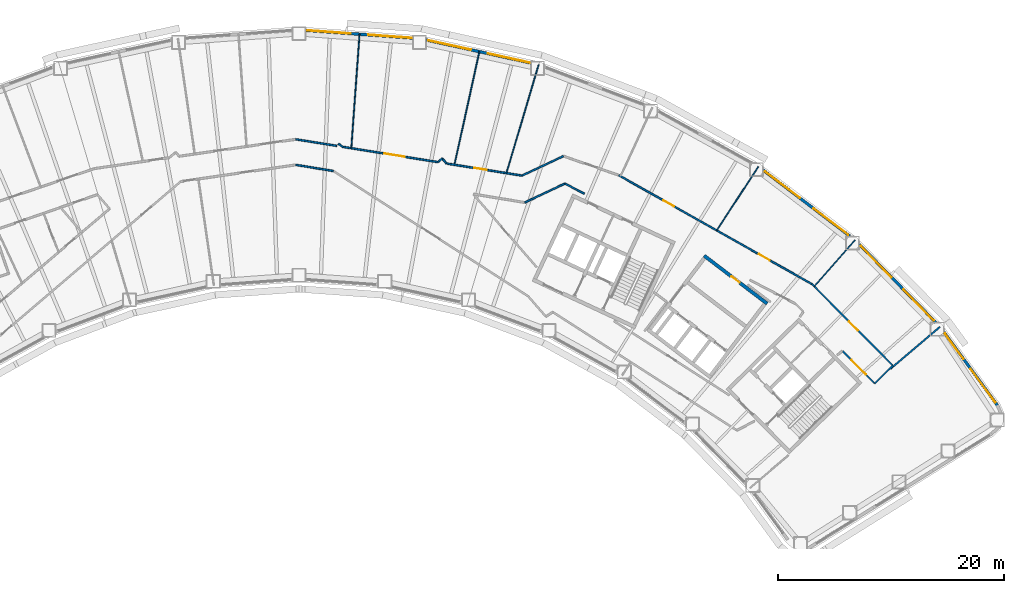
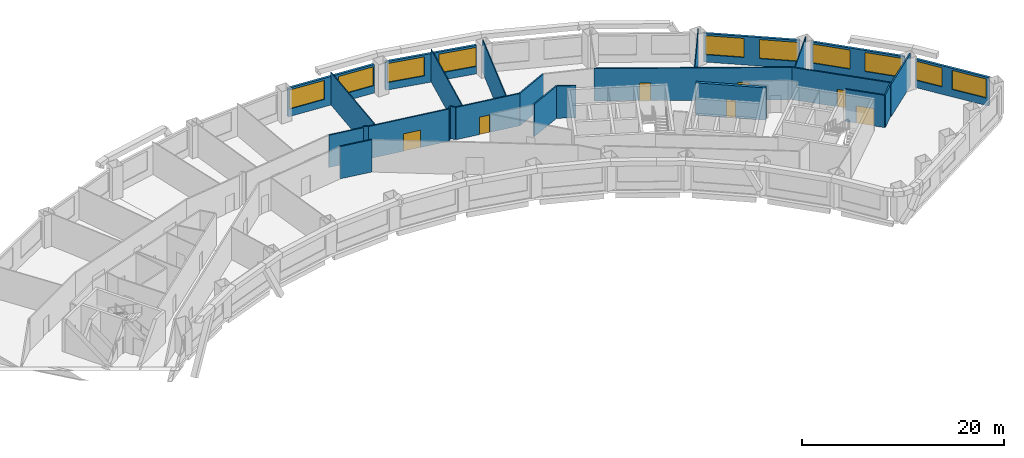
# One storey, part 8 of 15: 26 walls, 10 windows, 7 doors, 17 openings.
"""IFC4 building model written with IfcOpenShell, lengths in metres."""

import ifcopenshell
import ifcopenshell.guid

model = None  # the IFC model being written
_history = None  # IfcOwnerHistory: only IFC2X3 demands one
_inside = {}  # id of a spatial element -> (the spatial element, [elements in it])
_under = {}  # id of a project, library or spatial element -> (it, [spatial elements below it])
_declared = {}  # id of a project -> (the project, [libraries it declares])
_typed = {}  # id of a type object -> (the type object, [elements of that type])
_made_of = {}  # id of a material, layer set ... -> (it, [elements and type objects made of it])


def new_model(schema):
    """Start an empty IFC model of exactly this schema.

    Asked for "IFC4X3", IfcOpenShell would pick the latest addendum, in which some entities
    have other attributes; the version numbers below select the first issue.
    IFC2X3 requires an IfcOwnerHistory on every rooted entity: one is made here for all.
    """
    global model, _history
    if schema == "IFC4X3":
        model = ifcopenshell.file(schema_version=(4, 3, 0, 0))
    else:
        model = ifcopenshell.file(schema=schema)
    _inside.clear()
    _under.clear()
    _declared.clear()
    _typed.clear()
    _made_of.clear()
    _history = None
    if model.schema == "IFC2X3":
        org = make("IfcOrganization", Name="unknown")
        user = make(
            "IfcPersonAndOrganization",
            ThePerson=make("IfcPerson", FamilyName="unknown"),
            TheOrganization=org,
        )
        app = make(
            "IfcApplication",
            ApplicationDeveloper=org,
            Version="unknown",
            ApplicationFullName="unknown",
            ApplicationIdentifier="unknown",
        )
        _history = make(
            "IfcOwnerHistory",
            OwningUser=user,
            OwningApplication=app,
            ChangeAction="ADDED",
            CreationDate=0,
        )
    return model


def make(cls, **values):
    """One entity of the class cls with the attributes given. An attribute that is None is left unset."""
    return model.create_entity(
        cls, **{name: value for name, value in values.items() if value is not None}
    )


def rooted(cls, **values):
    """An entity with a GlobalId (a new one), such as an element, a storey or a relation."""
    return make(cls, GlobalId=ifcopenshell.guid.new(), OwnerHistory=_history, **values)


def si_unit(unit_type, name, prefix=None):
    """IfcSIUnit, for example si_unit("LENGTHUNIT", "METRE", prefix="MILLI")."""
    return make("IfcSIUnit", UnitType=unit_type, Prefix=prefix, Name=name)


def assignment(units):
    """IfcUnitAssignment: the units of a project."""
    return None if units is None else make("IfcUnitAssignment", Units=units)


def point(xyz):
    """IfcCartesianPoint."""
    return None if xyz is None else make("IfcCartesianPoint", Coordinates=xyz)


def direction(xyz):
    """IfcDirection."""
    return None if xyz is None else make("IfcDirection", DirectionRatios=xyz)


def frame(location, z_axis=None, x_axis=None):
    """IfcAxis2Placement3D, a coordinate frame: its origin and axes. An axis left out is left unset."""
    return make(
        "IfcAxis2Placement3D",
        Location=point(location),
        Axis=direction(z_axis),
        RefDirection=direction(x_axis),
    )


def frame_2d(location, x_axis=None):
    """IfcAxis2Placement2D, a coordinate frame in the plane: its origin and x axis."""
    return make(
        "IfcAxis2Placement2D", Location=point(location), RefDirection=direction(x_axis)
    )


def origin():
    """The frame at (0, 0, 0) with its axes left unset."""
    return frame((0.0, 0.0, 0.0))


def place(relative_to, where):
    """IfcLocalPlacement: puts the frame where relative to a parent placement (None: the world)."""
    return make(
        "IfcLocalPlacement", PlacementRelTo=relative_to, RelativePlacement=where
    )


def context(
    kind, dimensions, precision=None, world=None, true_north=None, identifier=None
):
    """IfcGeometricRepresentationContext, for example the 3D "Model" context."""
    return make(
        "IfcGeometricRepresentationContext",
        ContextIdentifier=identifier,
        ContextType=kind,
        CoordinateSpaceDimension=dimensions,
        Precision=precision,
        WorldCoordinateSystem=world,
        TrueNorth=true_north,
    )


def subcontext(parent, identifier, kind, view, scale=None):
    """IfcGeometricRepresentationSubContext, for example "Body" below "Model"."""
    return make(
        "IfcGeometricRepresentationSubContext",
        ContextIdentifier=identifier,
        ContextType=kind,
        ParentContext=parent,
        TargetScale=scale,
        TargetView=view,
    )


def project(units=None, contexts=None):
    """IfcProject with its units and contexts."""
    return rooted(
        "IfcProject",
        Name="project",
        RepresentationContexts=contexts,
        UnitsInContext=assignment(units),
    )


def spatial(cls, under=None, at=None, **own):
    """A site, building, storey or space (cls), placed at a placement, below another one or the project."""
    s = rooted(cls, ObjectPlacement=at, **own)
    if under is not None:
        _under.setdefault(under.id(), (under, []))[1].append(s)
    return s


def profile(cls, at=None, kind="AREA", **sizes):
    """A parametric profile (cls). Its sizes go by their IFC names, for example OverallWidth=200.0."""
    return make(cls, ProfileType=kind, Position=at, **sizes)


def rectangle(**sizes):
    """IfcRectangleProfileDef."""
    return profile("IfcRectangleProfileDef", **sizes)


def extrude(swept, where, along, depth):
    """IfcExtrudedAreaSolid: the profile swept, set in the frame where, extruded along a direction by depth."""
    return make(
        "IfcExtrudedAreaSolid",
        SweptArea=swept,
        Position=where,
        ExtrudedDirection=direction(along),
        Depth=depth,
    )


def shape(context_of_items, identifier, shape_type, items):
    """IfcShapeRepresentation: the items that make up one representation, for example the "Body"."""
    return make(
        "IfcShapeRepresentation",
        ContextOfItems=context_of_items,
        RepresentationIdentifier=identifier,
        RepresentationType=shape_type,
        Items=items,
    )


def material(Name=None, Category=None):
    """IfcMaterial."""
    return make("IfcMaterial", Name=Name, Category=Category)


def layer(
    of_material, thickness, ventilated=None, Name=None, Category=None, Priority=None
):
    """IfcMaterialLayer: one layer of a wall or slab, of a material (None: an air gap)."""
    return make(
        "IfcMaterialLayer",
        Material=of_material,
        LayerThickness=thickness,
        IsVentilated=ventilated,
        Name=Name,
        Category=Category,
        Priority=Priority,
    )


def layer_set(layers, Name=None):
    """IfcMaterialLayerSet."""
    return make("IfcMaterialLayerSet", MaterialLayers=layers, LayerSetName=Name)


def made_of(thing, what):
    """Note that an element or type object is made of a material, layer set ...; save() writes the relation."""
    if what is not None:
        _made_of.setdefault(what.id(), (what, []))[1].append(thing)
    return thing


def type_object(cls, material=None, **own):
    """A type object (cls), such as IfcWallType, which elements share."""
    return made_of(rooted(cls, **own), material)


def element(
    cls,
    number,
    at=None,
    inside=None,
    cuts=None,
    type_object=None,
    material=None,
    context=None,
    identifier="Body",
    shape_type=None,
    held_by="IfcProductDefinitionShape",
    body=None,
    shapes=None,
    **own,
):
    """One element of the class cls, such as IfcWall. Its Tag is "e" and its number.

    at: its placement. inside: the storey or other place that contains it. cuts: it is an
    opening in that element (IfcRelVoidsElement). A single representation is given by context,
    identifier, shape_type and body (its items); several are given by shapes. held_by: the class
    of the entity that holds the representations. save() writes the other relations.
    """
    e = rooted(cls, Tag="e%d" % number, ObjectPlacement=at, **own)
    if body is not None:
        shapes = [shape(context, identifier, shape_type, body)]
    if shapes is not None:
        e.Representation = make(held_by, Representations=shapes)
    if inside is not None:
        _inside.setdefault(inside.id(), (inside, []))[1].append(e)
    if cuts is not None:
        rooted(
            "IfcRelVoidsElement", RelatingBuildingElement=cuts, RelatedOpeningElement=e
        )
    if type_object is not None:
        _typed.setdefault(type_object.id(), (type_object, []))[1].append(e)
    return made_of(e, material)


def fill(opening, filler):
    """IfcRelFillsElement: the door or window that sits in an opening."""
    return rooted(
        "IfcRelFillsElement",
        RelatingOpeningElement=opening,
        RelatedBuildingElement=filler,
    )


def aggregate(whole, parts):
    """IfcRelAggregates: a whole, such as a stair, and the parts it consists of."""
    return rooted("IfcRelAggregates", RelatingObject=whole, RelatedObjects=parts)


def save(model, path):
    """Write the relations noted so far, then the file.

    IfcRelAggregates (storeys below a building ...), IfcRelContainedInSpatialStructure (elements
    in a storey), IfcRelDefinesByType, IfcRelAssociatesMaterial and IfcRelDeclares: one each for
    every whole, place, type object, material and project.
    """
    for whole, parts in _under.values():
        aggregate(whole, parts)
    for where, things in _inside.values():
        rooted(
            "IfcRelContainedInSpatialStructure",
            RelatedElements=things,
            RelatingStructure=where,
        )
    for kind, things in _typed.values():
        rooted("IfcRelDefinesByType", RelatedObjects=things, RelatingType=kind)
    for what, things in _made_of.values():
        rooted("IfcRelAssociatesMaterial", RelatedObjects=things, RelatingMaterial=what)
    for by, libraries in _declared.values():
        rooted("IfcRelDeclares", RelatingContext=by, RelatedDefinitions=libraries)
    model.write(path)


model = new_model("IFC4")

# Units and contexts
model_context = context("Model", 3, precision=1e-05, world=origin(), true_north=direction((0.0, 1.0)))
body_context = subcontext(model_context, "Body", "Model", "MODEL_VIEW")
ifc_project = project(units=[si_unit("LENGTHUNIT", "METRE"), si_unit("AREAUNIT", "SQUARE_METRE"), si_unit("VOLUMEUNIT", "CUBIC_METRE"), si_unit("PLANEANGLEUNIT", "RADIAN"), si_unit("MASSUNIT", "GRAM", prefix="KILO")], contexts=[model_context])

# Site, building, storey
site_placement = place(None, origin())
site = spatial("IfcSite", under=ifc_project, at=site_placement, CompositionType="ELEMENT")
building_placement = place(site_placement, origin())
building = spatial("IfcBuilding", under=site, at=building_placement, Name="Tuul Gate Civic Tower", CompositionType="ELEMENT")
storey_placement = place(building_placement, frame((0.0, 0.0, 78.0)))
storey = spatial("IfcBuildingStorey", under=building, at=storey_placement, Name="Level 17", CompositionType="ELEMENT", Elevation=78.0)

# Walls
ifc_material_1 = material(Name="Gypsum board partition")
ifc_layer_1 = layer(ifc_material_1, 0.14990234375)
ifc_layer_set_1 = layer_set([ifc_layer_1], Name="Gypsum board partition")
wall_type_1 = type_object("IfcWallType", Name="Corridor wall P150", PredefinedType="PARTITIONING", material=ifc_layer_set_1)
wall_1_placement = place(storey_placement, frame((57.067626953125, -10.89501953125, 0.0), z_axis=(0.0, 0.0, 1.0), x_axis=(0.762730425935, 0.646716551012, 0.0)))
element("IfcWall", 1, at=wall_1_placement, inside=storey, type_object=wall_type_1, Name="p005", PredefinedType="PARTITIONING", context=body_context, shape_type="SweptSolid", body=[
    extrude(rectangle(XDim=5.721923828125, YDim=0.14990234375, at=frame_2d((2.86083984375, 0.0))), origin(), (0.0, 0.0, 1.0), 3.89990234375),
])
wall_2_placement = place(storey_placement, frame((55.658935546875, -12.204833984375, 0.0), z_axis=(0.0, 0.0, 1.0), x_axis=(0.709706810317, 0.70449715641, 0.0)))
element("IfcWall", 2, at=wall_2_placement, inside=storey, type_object=wall_type_1, Name="p006", PredefinedType="PARTITIONING", context=body_context, shape_type="SweptSolid", body=[
    extrude(rectangle(XDim=2.24951171875, YDim=0.14990234375, at=frame_2d((1.124755859375, 0.0))), origin(), (0.0, 0.0, 1.0), 3.89990234375),
])

# Wall, opening, door
wall_3_placement = place(storey_placement, frame((50.1171875, -3.4287109375, 0.0), z_axis=(0.0, 0.0, 1.0), x_axis=(0.704511742875, -0.709692330628, 0.0)))
wall_3 = element("IfcWall", 3, at=wall_3_placement, inside=storey, type_object=wall_type_1, Name="p007", PredefinedType="PARTITIONING", context=body_context, shape_type="SweptSolid", body=[
    extrude(rectangle(XDim=10.132080078125, YDim=0.14990234375, at=frame_2d((5.06591796875, 0.0))), origin(), (0.0, 0.0, 1.0), 3.89990234375),
])
opening_1_placement = place(wall_3_placement, frame((4.65576171875, 0.0, 0.0)))
opening_1 = element("IfcOpeningElement", 4, at=opening_1_placement, cuts=wall_3, Name="Opening E-D01", PredefinedType="OPENING", context=body_context, shape_type="SweptSolid", body=[
    extrude(rectangle(XDim=1.10009765625, YDim=2.10009765625, at=frame_2d((0.550048828125, 1.050048828125))), frame((0.0, 0.0849609375, 0.0), z_axis=(0.0, -1.0, 0.0), x_axis=(1.0, 0.0, 0.0)), (0.0, 0.0, 1.0), 0.169921875),
])
ifc_material_2 = material(Name="Timber door leaf", Category="wood")
door_type_1 = type_object("IfcDoorType", Name="Door D11", OperationType="NOTDEFINED", PredefinedType="DOOR", material=ifc_material_2)
door_1_placement = place(opening_1_placement, origin())
door_1 = element("IfcDoor", 5, at=door_1_placement, inside=storey, type_object=door_type_1, Name="Door E-D01", OperationType="SINGLE_SWING_RIGHT", OverallHeight=2.10009765625, OverallWidth=1.10009765625, PredefinedType="DOOR", context=body_context, shape_type="SweptSolid", body=[
    extrude(rectangle(XDim=1.10009765625, YDim=2.10009765625, at=frame_2d((0.550048828125, 1.050048828125))), frame((0.0, 0.02490234375, 0.0), z_axis=(0.0, -1.0, 0.0), x_axis=(1.0, 0.0, 0.0)), (0.0, 0.0, 1.0), 0.050048828125),
])
fill(opening_1, door_1)

# Wall, openings, doors
wall_4_placement = place(storey_placement, frame((33.027099609375, 6.202392578125, 0.0), z_axis=(0.0, 0.0, 1.0), x_axis=(0.871189375321, -0.490947117649, 0.0)))
wall_4 = element("IfcWall", 6, at=wall_4_placement, inside=storey, type_object=wall_type_1, Name="p010", PredefinedType="PARTITIONING", context=body_context, shape_type="SweptSolid", body=[
    extrude(rectangle(XDim=19.616455078125, YDim=0.14990234375, at=frame_2d((9.80810546875, 0.0))), origin(), (0.0, 0.0, 1.0), 3.89990234375),
])
opening_2_placement = place(wall_4_placement, frame((14.237548828125, 0.0, 0.0)))
opening_2 = element("IfcOpeningElement", 7, at=opening_2_placement, cuts=wall_4, Name="Opening E-D02", PredefinedType="OPENING", context=body_context, shape_type="SweptSolid", body=[
    extrude(rectangle(XDim=1.10009765625, YDim=2.10009765625, at=frame_2d((0.550048828125, 1.050048828125))), frame((0.0, 0.0849609375, 0.0), z_axis=(0.0, -1.0, 0.0), x_axis=(1.0, 0.0, 0.0)), (0.0, 0.0, 1.0), 0.169921875),
])
opening_3_placement = place(wall_4_placement, frame((4.53125, 0.0, 0.0)))
opening_3 = element("IfcOpeningElement", 8, at=opening_3_placement, cuts=wall_4, Name="Opening E-D03", PredefinedType="OPENING", context=body_context, shape_type="SweptSolid", body=[
    extrude(rectangle(XDim=1.10009765625, YDim=2.10009765625, at=frame_2d((0.550048828125, 1.050048828125))), frame((0.0, 0.0849609375, 0.0), z_axis=(0.0, -1.0, 0.0), x_axis=(1.0, 0.0, 0.0)), (0.0, 0.0, 1.0), 0.169921875),
])
door_2_placement = place(opening_2_placement, origin())
door_2 = element("IfcDoor", 9, at=door_2_placement, inside=storey, type_object=door_type_1, Name="Door E-D02", OperationType="SINGLE_SWING_RIGHT", OverallHeight=2.10009765625, OverallWidth=1.10009765625, PredefinedType="DOOR", context=body_context, shape_type="SweptSolid", body=[
    extrude(rectangle(XDim=1.10009765625, YDim=2.10009765625, at=frame_2d((0.550048828125, 1.050048828125))), frame((0.0, 0.02490234375, 0.0), z_axis=(0.0, -1.0, 0.0), x_axis=(1.0, 0.0, 0.0)), (0.0, 0.0, 1.0), 0.050048828125),
])
fill(opening_2, door_2)
door_3_placement = place(opening_3_placement, origin())
door_3 = element("IfcDoor", 10, at=door_3_placement, inside=storey, type_object=door_type_1, Name="Door E-D03", OperationType="SINGLE_SWING_RIGHT", OverallHeight=2.10009765625, OverallWidth=1.10009765625, PredefinedType="DOOR", context=body_context, shape_type="SweptSolid", body=[
    extrude(rectangle(XDim=1.10009765625, YDim=2.10009765625, at=frame_2d((0.550048828125, 1.050048828125))), frame((0.0, 0.02490234375, 0.0), z_axis=(0.0, -1.0, 0.0), x_axis=(1.0, 0.0, 0.0)), (0.0, 0.0, 1.0), 0.050048828125),
])
fill(opening_3, door_3)

# Walls
wall_5_placement = place(storey_placement, frame((24.51611328125, 6.15673828125, 0.0), z_axis=(0.0, 0.0, 1.0), x_axis=(0.904110153065, 0.427299463051, 0.0)))
element("IfcWall", 11, at=wall_5_placement, inside=storey, type_object=wall_type_1, Name="p014", PredefinedType="PARTITIONING", context=body_context, shape_type="SweptSolid", body=[
    extrude(rectangle(XDim=4.028564453125, YDim=0.14990234375, at=frame_2d((2.01416015625, 0.0))), origin(), (0.0, 0.0, 1.0), 3.89990234375),
])
wall_6_placement = place(storey_placement, frame((4.52978515625, 9.362060546875, 0.0), z_axis=(0.0, 0.0, 1.0), x_axis=(0.987352818749, -0.158538359108, 0.0)))
element("IfcWall", 12, at=wall_6_placement, inside=storey, type_object=wall_type_1, Name="p015", PredefinedType="PARTITIONING", context=body_context, shape_type="SweptSolid", body=[
    extrude(rectangle(XDim=3.649658203125, YDim=0.14990234375, at=frame_2d((1.82470703125, 0.0))), origin(), (0.0, 0.0, 1.0), 3.89990234375),
])

# Wall, opening, door
wall_7_placement = place(storey_placement, frame((8.696044921875, 8.693115234375, 0.0), z_axis=(0.0, 0.0, 1.0), x_axis=(0.987354667713, -0.158526843613, 0.0)))
wall_7 = element("IfcWall", 13, at=wall_7_placement, inside=storey, type_object=wall_type_1, Name="p016", PredefinedType="PARTITIONING", context=body_context, shape_type="SweptSolid", body=[
    extrude(rectangle(XDim=8.48583984375, YDim=0.14990234375, at=frame_2d((4.242919921875, 0.0))), origin(), (0.0, 0.0, 1.0), 3.89990234375),
])
opening_4_placement = place(wall_7_placement, frame((3.713134765625, 0.0, 0.0)))
opening_4 = element("IfcOpeningElement", 14, at=opening_4_placement, cuts=wall_7, Name="Opening E-D06", PredefinedType="OPENING", context=body_context, shape_type="SweptSolid", body=[
    extrude(rectangle(XDim=1.800048828125, YDim=2.10009765625, at=frame_2d((0.89990234375, 1.050048828125))), frame((0.0, 0.0849609375, 0.0), z_axis=(0.0, -1.0, 0.0), x_axis=(1.0, 0.0, 0.0)), (0.0, 0.0, 1.0), 0.169921875),
])
ifc_material_3 = material(Name="Timber door leaf, double", Category="wood")
door_type_2 = type_object("IfcDoorType", Name="Door D18", OperationType="DOUBLE_DOOR_SINGLE_SWING", PredefinedType="DOOR", material=ifc_material_3)
door_4_placement = place(opening_4_placement, origin())
door_4 = element("IfcDoor", 15, at=door_4_placement, inside=storey, type_object=door_type_2, Name="Door E-D06", OperationType="DOUBLE_DOOR_SINGLE_SWING", OverallHeight=2.10009765625, OverallWidth=1.800048828125, PredefinedType="DOOR", context=body_context, shape_type="SweptSolid", body=[
    extrude(rectangle(XDim=1.800048828125, YDim=2.10009765625, at=frame_2d((0.89990234375, 1.050048828125))), frame((0.0, 0.02490234375, 0.0), z_axis=(0.0, -1.0, 0.0), x_axis=(1.0, 0.0, 0.0)), (0.0, 0.0, 1.0), 0.050048828125),
])
fill(opening_4, door_4)

wall_8_placement = place(storey_placement, frame((17.852294921875, 7.222900390625, 0.0), z_axis=(0.0, 0.0, 1.0), x_axis=(0.987357729875, -0.158507770332, 0.0)))
wall_8 = element("IfcWall", 16, at=wall_8_placement, inside=storey, type_object=wall_type_1, Name="p017", PredefinedType="PARTITIONING", context=body_context, shape_type="SweptSolid", body=[
    extrude(rectangle(XDim=6.737060546875, YDim=0.14990234375, at=frame_2d((3.36865234375, 0.0))), origin(), (0.0, 0.0, 1.0), 3.89990234375),
])
opening_5_placement = place(wall_8_placement, frame((2.47021484375, 0.0, 0.0)))
opening_5 = element("IfcOpeningElement", 17, at=opening_5_placement, cuts=wall_8, Name="Opening E-D05", PredefinedType="OPENING", context=body_context, shape_type="SweptSolid", body=[
    extrude(rectangle(XDim=1.10009765625, YDim=2.10009765625, at=frame_2d((0.550048828125, 1.050048828125))), frame((0.0, 0.0849609375, 0.0), z_axis=(0.0, -1.0, 0.0), x_axis=(1.0, 0.0, 0.0)), (0.0, 0.0, 1.0), 0.169921875),
])
door_5_placement = place(opening_5_placement, origin())
door_5 = element("IfcDoor", 18, at=door_5_placement, inside=storey, type_object=door_type_1, Name="Door E-D05", OperationType="SINGLE_SWING_RIGHT", OverallHeight=2.10009765625, OverallWidth=1.10009765625, PredefinedType="DOOR", context=body_context, shape_type="SweptSolid", body=[
    extrude(rectangle(XDim=1.10009765625, YDim=2.10009765625, at=frame_2d((0.550048828125, 1.050048828125))), frame((0.0, 0.02490234375, 0.0), z_axis=(0.0, -1.0, 0.0), x_axis=(1.0, 0.0, 0.0)), (0.0, 0.0, 1.0), 0.050048828125),
])
fill(opening_5, door_5)

# Walls
wall_9_placement = place(storey_placement, frame((17.457275390625, 7.67041015625, 0.0), z_axis=(0.0, 0.0, 1.0), x_axis=(0.65604412912, -0.754722532225, 0.0)))
element("IfcWall", 19, at=wall_9_placement, inside=storey, type_object=wall_type_1, Name="p020", PredefinedType="PARTITIONING", context=body_context, shape_type="SweptSolid", body=[
    extrude(rectangle(XDim=0.583984375, YDim=0.14990234375, at=frame_2d((0.2919921875, 0.0))), origin(), (0.0, 0.0, 1.0), 3.89990234375),
])
wall_10_placement = place(storey_placement, frame((17.090576171875, 7.3525390625, 0.0), z_axis=(0.0, 0.0, 1.0), x_axis=(0.754724742006, 0.656041586947, 0.0)))
element("IfcWall", 20, at=wall_10_placement, inside=storey, type_object=wall_type_1, Name="p022", PredefinedType="PARTITIONING", context=body_context, shape_type="SweptSolid", body=[
    extrude(rectangle(XDim=0.48486328125, YDim=0.14990234375, at=frame_2d((0.242431640625, 0.0))), origin(), (0.0, 0.0, 1.0), 3.89990234375),
])
wall_11_placement = place(storey_placement, frame((8.266357421875, 8.96728515625, 0.0), z_axis=(0.0, 0.0, 1.0), x_axis=(0.841289122959, -0.540585434128, 0.0)))
element("IfcWall", 21, at=wall_11_placement, inside=storey, type_object=wall_type_1, Name="p024", PredefinedType="PARTITIONING", context=body_context, shape_type="SweptSolid", body=[
    extrude(rectangle(XDim=0.501708984375, YDim=0.14990234375, at=frame_2d((0.2509765625, 0.0))), origin(), (0.0, 0.0, 1.0), 3.89990234375),
])
wall_12_placement = place(storey_placement, frame((4.533203125, 7.1064453125, 0.0), z_axis=(0.0, 0.0, 1.0), x_axis=(0.986730008667, -0.162369609212, 0.0)))
element("IfcWall", 22, at=wall_12_placement, inside=storey, type_object=wall_type_1, Name="p048", PredefinedType="PARTITIONING", context=body_context, shape_type="SweptSolid", body=[
    extrude(rectangle(XDim=3.35595703125, YDim=0.14990234375, at=frame_2d((1.677978515625, 0.0))), origin(), (0.0, 0.0, 1.0), 3.89990234375),
])
wall_13_placement = place(storey_placement, frame((28.301025390625, 5.4482421875, 0.0), z_axis=(0.0, 0.0, 1.0), x_axis=(0.886812563629, -0.462129286011, 0.0)))
element("IfcWall", 23, at=wall_13_placement, inside=storey, type_object=wall_type_1, Name="p061", PredefinedType="PARTITIONING", context=body_context, shape_type="SweptSolid", body=[
    extrude(rectangle(XDim=1.929931640625, YDim=0.14990234375, at=frame_2d((0.96484375, 0.0))), origin(), (0.0, 0.0, 1.0), 3.89990234375),
])

# Wall, opening, door
wall_14_placement = place(storey_placement, frame((52.823974609375, -9.348876953125, 0.0), z_axis=(0.0, 0.0, 1.0), x_axis=(0.704493184161, -0.709710753386, 0.0)))
wall_14 = element("IfcWall", 24, at=wall_14_placement, inside=storey, type_object=wall_type_1, Name="p064", PredefinedType="PARTITIONING", context=body_context, shape_type="SweptSolid", body=[
    extrude(rectangle(XDim=4.024169921875, YDim=0.14990234375, at=frame_2d((2.01220703125, 0.0))), origin(), (0.0, 0.0, 1.0), 3.89990234375),
])
opening_6_placement = place(wall_14_placement, frame((1.112060546875, 0.0, 0.0)))
opening_6 = element("IfcOpeningElement", 25, at=opening_6_placement, cuts=wall_14, Name="Opening E-D26", PredefinedType="OPENING", context=body_context, shape_type="SweptSolid", body=[
    extrude(rectangle(XDim=1.800048828125, YDim=2.10009765625, at=frame_2d((0.89990234375, 1.050048828125))), frame((0.0, 0.0849609375, 0.0), z_axis=(0.0, -1.0, 0.0), x_axis=(1.0, 0.0, 0.0)), (0.0, 0.0, 1.0), 0.169921875),
])
door_6_placement = place(opening_6_placement, origin())
door_6 = element("IfcDoor", 26, at=door_6_placement, inside=storey, type_object=door_type_2, Name="Door E-D26", OperationType="DOUBLE_DOOR_SINGLE_SWING", OverallHeight=2.10009765625, OverallWidth=1.800048828125, PredefinedType="DOOR", context=body_context, shape_type="SweptSolid", body=[
    extrude(rectangle(XDim=1.800048828125, YDim=2.10009765625, at=frame_2d((0.89990234375, 1.050048828125))), frame((0.0, 0.02490234375, 0.0), z_axis=(0.0, -1.0, 0.0), x_axis=(1.0, 0.0, 0.0)), (0.0, 0.0, 1.0), 0.050048828125),
])
fill(opening_6, door_6)

# Wall
wall_15_placement = place(storey_placement, frame((24.75048828125, 3.77880859375, 0.0), z_axis=(0.0, 0.0, 1.0), x_axis=(0.904105184288, 0.427309976181, 0.0)))
element("IfcWall", 27, at=wall_15_placement, inside=storey, type_object=wall_type_1, Name="p066", PredefinedType="PARTITIONING", context=body_context, shape_type="SweptSolid", body=[
    extrude(rectangle(XDim=3.907470703125, YDim=0.14990234375, at=frame_2d((1.95361328125, 0.0))), origin(), (0.0, 0.0, 1.0), 3.89990234375),
])

# Wall, openings, windows
ifc_material_4 = material(Name="Precast concrete C40/50", Category="concrete")
ifc_layer_2 = layer(ifc_material_4, 0.25)
ifc_layer_set_2 = layer_set([ifc_layer_2], Name="Precast concrete C40/50")
wall_type_2 = type_object("IfcWallType", Name="External wall", PredefinedType="STANDARD", material=ifc_layer_set_2)
wall_16_placement = place(storey_placement, frame((66.498046875, -14.138671875, 0.0), z_axis=(0.0, 0.0, 1.0), x_axis=(-0.589838269776, 0.807521402508, 0.0)))
wall_16 = element("IfcWall", 28, at=wall_16_placement, inside=storey, type_object=wall_type_2, Name="External wall", PredefinedType="STANDARD", context=body_context, shape_type="SweptSolid", body=[
    extrude(rectangle(XDim=7.998779296875, YDim=0.25, at=frame_2d((3.99951171875, 0.0))), origin(), (0.0, 0.0, 1.0), 3.449951171875),
])
opening_7_placement = place(wall_16_placement, frame((0.301025390625, 0.0, 0.89990234375)))
opening_7 = element("IfcOpeningElement", 29, at=opening_7_placement, cuts=wall_16, Name="Opening W21", PredefinedType="OPENING", context=body_context, shape_type="SweptSolid", body=[
    extrude(rectangle(XDim=3.699951171875, YDim=2.300048828125, at=frame_2d((1.85009765625, 1.14990234375))), frame((0.0, 0.135009765625, 0.0), z_axis=(0.0, -1.0, 0.0), x_axis=(1.0, 0.0, 0.0)), (0.0, 0.0, 1.0), 0.27001953125),
])
opening_8_placement = place(wall_16_placement, frame((5.052978515625, 0.0, 0.89990234375)))
opening_8 = element("IfcOpeningElement", 30, at=opening_8_placement, cuts=wall_16, Name="Opening W23", PredefinedType="OPENING", context=body_context, shape_type="SweptSolid", body=[
    extrude(rectangle(XDim=2.800048828125, YDim=2.300048828125, at=frame_2d((1.39990234375, 1.14990234375))), frame((0.0, 0.135009765625, 0.0), z_axis=(0.0, -1.0, 0.0), x_axis=(1.0, 0.0, 0.0)), (0.0, 0.0, 1.0), 0.27001953125),
])
ifc_material_5 = material(Name="Glass", Category="glass")
window_type_1 = type_object("IfcWindowType", Name="Window W21 3700 x 2300", PartitioningType="SINGLE_PANEL", PredefinedType="WINDOW", material=ifc_material_5)
window_1_placement = place(opening_7_placement, origin())
window_1 = element("IfcWindow", 31, at=window_1_placement, inside=storey, type_object=window_type_1, Name="Window", OverallHeight=2.300048828125, OverallWidth=3.699951171875, PartitioningType="SINGLE_PANEL", PredefinedType="WINDOW", context=body_context, shape_type="SweptSolid", body=[
    extrude(rectangle(XDim=3.699951171875, YDim=2.300048828125, at=frame_2d((1.85009765625, 1.14990234375))), frame((0.0, 0.030029296875, 0.0), z_axis=(0.0, -1.0, 0.0), x_axis=(1.0, 0.0, 0.0)), (0.0, 0.0, 1.0), 0.06005859375),
])
fill(opening_7, window_1)
ifc_material_6 = material(Name="Glass", Category="glass")
window_type_2 = type_object("IfcWindowType", Name="Window W23 2800 x 2300", PartitioningType="SINGLE_PANEL", PredefinedType="WINDOW", material=ifc_material_6)
window_2_placement = place(opening_8_placement, origin())
window_2 = element("IfcWindow", 32, at=window_2_placement, inside=storey, type_object=window_type_2, Name="Window", OverallHeight=2.300048828125, OverallWidth=2.800048828125, PartitioningType="SINGLE_PANEL", PredefinedType="WINDOW", context=body_context, shape_type="SweptSolid", body=[
    extrude(rectangle(XDim=2.800048828125, YDim=2.300048828125, at=frame_2d((1.39990234375, 1.14990234375))), frame((0.0, 0.030029296875, 0.0), z_axis=(0.0, -1.0, 0.0), x_axis=(1.0, 0.0, 0.0)), (0.0, 0.0, 1.0), 0.06005859375),
])
fill(opening_8, window_2)

wall_17_placement = place(storey_placement, frame((61.047119140625, -6.80908203125, 0.0), z_axis=(0.0, 0.0, 1.0), x_axis=(-0.700049104252, 0.714094707749, 0.0)))
wall_17 = element("IfcWall", 33, at=wall_17_placement, inside=storey, type_object=wall_type_2, Name="External wall", PredefinedType="STANDARD", context=body_context, shape_type="SweptSolid", body=[
    extrude(rectangle(XDim=9.629638671875, YDim=0.25, at=frame_2d((4.81494140625, 0.0))), origin(), (0.0, 0.0, 1.0), 3.449951171875),
])
opening_9_placement = place(wall_17_placement, frame((0.206787109375, 0.0, 0.89990234375)))
opening_9 = element("IfcOpeningElement", 34, at=opening_9_placement, cuts=wall_17, Name="Opening W22", PredefinedType="OPENING", context=body_context, shape_type="SweptSolid", body=[
    extrude(rectangle(XDim=3.85009765625, YDim=2.300048828125, at=frame_2d((1.925048828125, 1.14990234375))), frame((0.0, 0.135009765625, 0.0), z_axis=(0.0, -1.0, 0.0), x_axis=(1.0, 0.0, 0.0)), (0.0, 0.0, 1.0), 0.27001953125),
])
opening_10_placement = place(wall_17_placement, frame((5.577880859375, 0.0, 0.89990234375)))
opening_10 = element("IfcOpeningElement", 35, at=opening_10_placement, cuts=wall_17, Name="Opening W22", PredefinedType="OPENING", context=body_context, shape_type="SweptSolid", body=[
    extrude(rectangle(XDim=3.85009765625, YDim=2.300048828125, at=frame_2d((1.925048828125, 1.14990234375))), frame((0.0, 0.135009765625, 0.0), z_axis=(0.0, -1.0, 0.0), x_axis=(1.0, 0.0, 0.0)), (0.0, 0.0, 1.0), 0.27001953125),
])
ifc_material_7 = material(Name="Glass", Category="glass")
window_type_3 = type_object("IfcWindowType", Name="Window W22 3850 x 2300", PartitioningType="SINGLE_PANEL", PredefinedType="WINDOW", material=ifc_material_7)
window_3_placement = place(opening_9_placement, origin())
window_3 = element("IfcWindow", 36, at=window_3_placement, inside=storey, type_object=window_type_3, Name="Window", OverallHeight=2.300048828125, OverallWidth=3.85009765625, PartitioningType="SINGLE_PANEL", PredefinedType="WINDOW", context=body_context, shape_type="SweptSolid", body=[
    extrude(rectangle(XDim=3.85009765625, YDim=2.300048828125, at=frame_2d((1.925048828125, 1.14990234375))), frame((0.0, 0.030029296875, 0.0), z_axis=(0.0, -1.0, 0.0), x_axis=(1.0, 0.0, 0.0)), (0.0, 0.0, 1.0), 0.06005859375),
])
fill(opening_9, window_3)
window_4_placement = place(opening_10_placement, origin())
window_4 = element("IfcWindow", 37, at=window_4_placement, inside=storey, type_object=window_type_3, Name="Window", OverallHeight=2.300048828125, OverallWidth=3.85009765625, PartitioningType="SINGLE_PANEL", PredefinedType="WINDOW", context=body_context, shape_type="SweptSolid", body=[
    extrude(rectangle(XDim=3.85009765625, YDim=2.300048828125, at=frame_2d((1.925048828125, 1.14990234375))), frame((0.0, 0.030029296875, 0.0), z_axis=(0.0, -1.0, 0.0), x_axis=(1.0, 0.0, 0.0)), (0.0, 0.0, 1.0), 0.06005859375),
])
fill(opening_10, window_4)

wall_18_placement = place(storey_placement, frame((53.45361328125, 0.81591796875, 0.0), z_axis=(0.0, 0.0, 1.0), x_axis=(-0.795611381341, 0.605807337262, 0.0)))
wall_18 = element("IfcWall", 38, at=wall_18_placement, inside=storey, type_object=wall_type_2, Name="External wall", PredefinedType="STANDARD", context=body_context, shape_type="SweptSolid", body=[
    extrude(rectangle(XDim=9.60595703125, YDim=0.25, at=frame_2d((4.802978515625, 0.0))), origin(), (0.0, 0.0, 1.0), 3.449951171875),
])
opening_11_placement = place(wall_18_placement, frame((0.1640625, 0.0, 0.89990234375)))
opening_11 = element("IfcOpeningElement", 39, at=opening_11_placement, cuts=wall_18, Name="Opening W22", PredefinedType="OPENING", context=body_context, shape_type="SweptSolid", body=[
    extrude(rectangle(XDim=3.85009765625, YDim=2.300048828125, at=frame_2d((1.925048828125, 1.14990234375))), frame((0.0, 0.135009765625, 0.0), z_axis=(0.0, -1.0, 0.0), x_axis=(1.0, 0.0, 0.0)), (0.0, 0.0, 1.0), 0.27001953125),
])
opening_12_placement = place(wall_18_placement, frame((5.535400390625, 0.0, 0.89990234375)))
opening_12 = element("IfcOpeningElement", 40, at=opening_12_placement, cuts=wall_18, Name="Opening W22", PredefinedType="OPENING", context=body_context, shape_type="SweptSolid", body=[
    extrude(rectangle(XDim=3.85009765625, YDim=2.300048828125, at=frame_2d((1.925048828125, 1.14990234375))), frame((0.0, 0.135009765625, 0.0), z_axis=(0.0, -1.0, 0.0), x_axis=(1.0, 0.0, 0.0)), (0.0, 0.0, 1.0), 0.27001953125),
])
window_5_placement = place(opening_11_placement, origin())
window_5 = element("IfcWindow", 41, at=window_5_placement, inside=storey, type_object=window_type_3, Name="Window", OverallHeight=2.300048828125, OverallWidth=3.85009765625, PartitioningType="SINGLE_PANEL", PredefinedType="WINDOW", context=body_context, shape_type="SweptSolid", body=[
    extrude(rectangle(XDim=3.85009765625, YDim=2.300048828125, at=frame_2d((1.925048828125, 1.14990234375))), frame((0.0, 0.030029296875, 0.0), z_axis=(0.0, -1.0, 0.0), x_axis=(1.0, 0.0, 0.0)), (0.0, 0.0, 1.0), 0.06005859375),
])
fill(opening_11, window_5)
window_6_placement = place(opening_12_placement, origin())
window_6 = element("IfcWindow", 42, at=window_6_placement, inside=storey, type_object=window_type_3, Name="Window", OverallHeight=2.300048828125, OverallWidth=3.85009765625, PartitioningType="SINGLE_PANEL", PredefinedType="WINDOW", context=body_context, shape_type="SweptSolid", body=[
    extrude(rectangle(XDim=3.85009765625, YDim=2.300048828125, at=frame_2d((1.925048828125, 1.14990234375))), frame((0.0, 0.030029296875, 0.0), z_axis=(0.0, -1.0, 0.0), x_axis=(1.0, 0.0, 0.0)), (0.0, 0.0, 1.0), 0.06005859375),
])
fill(opening_12, window_6)

wall_19_placement = place(storey_placement, frame((25.284912109375, 16.1025390625, 0.0), z_axis=(0.0, 0.0, 1.0), x_axis=(-0.976565560321, 0.215220134732, 0.0)))
wall_19 = element("IfcWall", 43, at=wall_19_placement, inside=storey, type_object=wall_type_2, Name="External wall", PredefinedType="STANDARD", context=body_context, shape_type="SweptSolid", body=[
    extrude(rectangle(XDim=9.4482421875, YDim=0.25, at=frame_2d((4.72412109375, 0.0))), origin(), (0.0, 0.0, 1.0), 3.449951171875),
])
opening_13_placement = place(wall_19_placement, frame((0.041748046875, 0.0, 0.89990234375)))
opening_13 = element("IfcOpeningElement", 44, at=opening_13_placement, cuts=wall_19, Name="Opening W22", PredefinedType="OPENING", context=body_context, shape_type="SweptSolid", body=[
    extrude(rectangle(XDim=3.85009765625, YDim=2.300048828125, at=frame_2d((1.925048828125, 1.14990234375))), frame((0.0, 0.135009765625, 0.0), z_axis=(0.0, -1.0, 0.0), x_axis=(1.0, 0.0, 0.0)), (0.0, 0.0, 1.0), 0.27001953125),
])
opening_14_placement = place(wall_19_placement, frame((5.4130859375, 0.0, 0.89990234375)))
opening_14 = element("IfcOpeningElement", 45, at=opening_14_placement, cuts=wall_19, Name="Opening W22", PredefinedType="OPENING", context=body_context, shape_type="SweptSolid", body=[
    extrude(rectangle(XDim=3.85009765625, YDim=2.300048828125, at=frame_2d((1.925048828125, 1.14990234375))), frame((0.0, 0.135009765625, 0.0), z_axis=(0.0, -1.0, 0.0), x_axis=(1.0, 0.0, 0.0)), (0.0, 0.0, 1.0), 0.27001953125),
])
window_7_placement = place(opening_13_placement, origin())
window_7 = element("IfcWindow", 46, at=window_7_placement, inside=storey, type_object=window_type_3, Name="Window", OverallHeight=2.300048828125, OverallWidth=3.85009765625, PartitioningType="SINGLE_PANEL", PredefinedType="WINDOW", context=body_context, shape_type="SweptSolid", body=[
    extrude(rectangle(XDim=3.85009765625, YDim=2.300048828125, at=frame_2d((1.925048828125, 1.14990234375))), frame((0.0, 0.030029296875, 0.0), z_axis=(0.0, -1.0, 0.0), x_axis=(1.0, 0.0, 0.0)), (0.0, 0.0, 1.0), 0.06005859375),
])
fill(opening_13, window_7)
window_8_placement = place(opening_14_placement, origin())
window_8 = element("IfcWindow", 47, at=window_8_placement, inside=storey, type_object=window_type_3, Name="Window", OverallHeight=2.300048828125, OverallWidth=3.85009765625, PartitioningType="SINGLE_PANEL", PredefinedType="WINDOW", context=body_context, shape_type="SweptSolid", body=[
    extrude(rectangle(XDim=3.85009765625, YDim=2.300048828125, at=frame_2d((1.925048828125, 1.14990234375))), frame((0.0, 0.030029296875, 0.0), z_axis=(0.0, -1.0, 0.0), x_axis=(1.0, 0.0, 0.0)), (0.0, 0.0, 1.0), 0.06005859375),
])
fill(opening_14, window_8)

wall_20_placement = place(storey_placement, frame((14.85791015625, 18.304931640625, 0.0), z_axis=(0.0, 0.0, 1.0), x_axis=(-0.997388240585, 0.072226709338, 0.0)))
wall_20 = element("IfcWall", 48, at=wall_20_placement, inside=storey, type_object=wall_type_2, Name="External wall", PredefinedType="STANDARD", context=body_context, shape_type="SweptSolid", body=[
    extrude(rectangle(XDim=9.474609375, YDim=0.25, at=frame_2d((4.7373046875, 0.0))), origin(), (0.0, 0.0, 1.0), 3.449951171875),
])
opening_15_placement = place(wall_20_placement, frame((0.10302734375, 0.0, 0.89990234375)))
opening_15 = element("IfcOpeningElement", 49, at=opening_15_placement, cuts=wall_20, Name="Opening W22", PredefinedType="OPENING", context=body_context, shape_type="SweptSolid", body=[
    extrude(rectangle(XDim=3.85009765625, YDim=2.300048828125, at=frame_2d((1.925048828125, 1.14990234375))), frame((0.0, 0.135009765625, 0.0), z_axis=(0.0, -1.0, 0.0), x_axis=(1.0, 0.0, 0.0)), (0.0, 0.0, 1.0), 0.27001953125),
])
opening_16_placement = place(wall_20_placement, frame((5.474609375, 0.0, 0.89990234375)))
opening_16 = element("IfcOpeningElement", 50, at=opening_16_placement, cuts=wall_20, Name="Opening W22", PredefinedType="OPENING", context=body_context, shape_type="SweptSolid", body=[
    extrude(rectangle(XDim=3.85009765625, YDim=2.300048828125, at=frame_2d((1.925048828125, 1.14990234375))), frame((0.0, 0.135009765625, 0.0), z_axis=(0.0, -1.0, 0.0), x_axis=(1.0, 0.0, 0.0)), (0.0, 0.0, 1.0), 0.27001953125),
])
window_9_placement = place(opening_15_placement, origin())
window_9 = element("IfcWindow", 51, at=window_9_placement, inside=storey, type_object=window_type_3, Name="Window", OverallHeight=2.300048828125, OverallWidth=3.85009765625, PartitioningType="SINGLE_PANEL", PredefinedType="WINDOW", context=body_context, shape_type="SweptSolid", body=[
    extrude(rectangle(XDim=3.85009765625, YDim=2.300048828125, at=frame_2d((1.925048828125, 1.14990234375))), frame((0.0, 0.030029296875, 0.0), z_axis=(0.0, -1.0, 0.0), x_axis=(1.0, 0.0, 0.0)), (0.0, 0.0, 1.0), 0.06005859375),
])
fill(opening_15, window_9)
window_10_placement = place(opening_16_placement, origin())
window_10 = element("IfcWindow", 52, at=window_10_placement, inside=storey, type_object=window_type_3, Name="Window", OverallHeight=2.300048828125, OverallWidth=3.85009765625, PartitioningType="SINGLE_PANEL", PredefinedType="WINDOW", context=body_context, shape_type="SweptSolid", body=[
    extrude(rectangle(XDim=3.85009765625, YDim=2.300048828125, at=frame_2d((1.925048828125, 1.14990234375))), frame((0.0, 0.030029296875, 0.0), z_axis=(0.0, -1.0, 0.0), x_axis=(1.0, 0.0, 0.0)), (0.0, 0.0, 1.0), 0.06005859375),
])
fill(opening_16, window_10)

# Wall, opening, door
ifc_material_8 = material(Name="Concrete C40/50", Category="concrete")
ifc_layer_3 = layer(ifc_material_8, 0.300048828125)
ifc_layer_set_3 = layer_set([ifc_layer_3], Name="Concrete C40/50")
wall_type_3 = type_object("IfcWallType", Name="Lift shaft wall C40/50", PredefinedType="STANDARD", material=ifc_layer_set_3)
wall_21_placement = place(storey_placement, frame((46.1591796875, -5.1533203125, 0.0), z_axis=(0.0, 0.0, 1.0), x_axis=(-0.795579811045, 0.605848796531, 0.0)))
wall_21 = element("IfcWall", 53, at=wall_21_placement, inside=storey, type_object=wall_type_3, Name="Shaft wall", PredefinedType="STANDARD", context=body_context, shape_type="SweptSolid", body=[
    extrude(rectangle(XDim=7.0, YDim=0.300048828125, at=frame_2d((3.5, 0.0))), origin(), (0.0, 0.0, 1.0), 3.89990234375),
])
opening_17_placement = place(wall_21_placement, frame((3.050048828125, 0.0, 0.0)))
opening_17 = element("IfcOpeningElement", 54, at=opening_17_placement, cuts=wall_21, Name="Opening E-D38", PredefinedType="OPENING", context=body_context, shape_type="SweptSolid", body=[
    extrude(rectangle(XDim=0.89990234375, YDim=2.10009765625, at=frame_2d((0.449951171875, 1.050048828125))), frame((0.0, 0.16015625, 0.0), z_axis=(0.0, -1.0, 0.0), x_axis=(1.0, 0.0, 0.0)), (0.0, 0.0, 1.0), 0.320068359375),
])
ifc_material_9 = material(Name="Timber door leaf", Category="wood")
door_type_3 = type_object("IfcDoorType", Name="Door D09", OperationType="NOTDEFINED", PredefinedType="DOOR", material=ifc_material_9)
door_7_placement = place(opening_17_placement, origin())
door_7 = element("IfcDoor", 55, at=door_7_placement, inside=storey, type_object=door_type_3, Name="Door E-D38", OperationType="SINGLE_SWING_LEFT", OverallHeight=2.10009765625, OverallWidth=0.89990234375, PredefinedType="DOOR", context=body_context, shape_type="SweptSolid", body=[
    extrude(rectangle(XDim=0.89990234375, YDim=2.10009765625, at=frame_2d((0.449951171875, 1.050048828125))), frame((0.0, 0.02490234375, 0.0), z_axis=(0.0, -1.0, 0.0), x_axis=(1.0, 0.0, 0.0)), (0.0, 0.0, 1.0), 0.050048828125),
])
fill(opening_17, door_7)

# Walls
ifc_material_10 = material(Name="Gypsum board partition")
ifc_layer_4 = layer(ifc_material_10, 0.10009765625)
ifc_layer_set_4 = layer_set([ifc_layer_4], Name="Gypsum board partition")
wall_type_4 = type_object("IfcWallType", Name="Partition P100", PredefinedType="PARTITIONING", material=ifc_layer_set_4)
wall_22_placement = place(storey_placement, frame((50.314208984375, -3.627197265625, 0.0), z_axis=(0.0, 0.0, 1.0), x_axis=(0.661704508988, 0.749764724953, 0.0)))
element("IfcWall", 56, at=wall_22_placement, inside=storey, type_object=wall_type_4, Name="p001", PredefinedType="PARTITIONING", context=body_context, shape_type="SweptSolid", body=[
    extrude(rectangle(XDim=5.4560546875, YDim=0.10009765625, at=frame_2d((2.72802734375, 0.0))), origin(), (0.0, 0.0, 1.0), 3.89990234375),
])
wall_23_placement = place(storey_placement, frame((41.70361328125, 1.31298828125, 0.0), z_axis=(0.0, 0.0, 1.0), x_axis=(0.546723657704, 0.837313108763, 0.0)))
element("IfcWall", 57, at=wall_23_placement, inside=storey, type_object=wall_type_4, Name="p009", PredefinedType="PARTITIONING", context=body_context, shape_type="SweptSolid", body=[
    extrude(rectangle(XDim=6.74560546875, YDim=0.10009765625, at=frame_2d((3.372802734375, 0.0))), origin(), (0.0, 0.0, 1.0), 3.89990234375),
])
wall_24_placement = place(storey_placement, frame((23.12890625, 6.375732421875, 0.0), z_axis=(0.0, 0.0, 1.0), x_axis=(0.285222605496, 0.958461300895, 0.0)))
element("IfcWall", 58, at=wall_24_placement, inside=storey, type_object=wall_type_4, Name="p012", PredefinedType="PARTITIONING", context=body_context, shape_type="SweptSolid", body=[
    extrude(rectangle(XDim=9.994140625, YDim=0.10009765625, at=frame_2d((4.9970703125, 0.0))), origin(), (0.0, 0.0, 1.0), 3.89990234375),
])
wall_25_placement = place(storey_placement, frame((18.539306640625, 7.11279296875, 0.0), z_axis=(0.0, 0.0, 1.0), x_axis=(0.215233048394, 0.976562714258, 0.0)))
element("IfcWall", 59, at=wall_25_placement, inside=storey, type_object=wall_type_4, Name="p018", PredefinedType="PARTITIONING", context=body_context, shape_type="SweptSolid", body=[
    extrude(rectangle(XDim=10.236083984375, YDim=0.10009765625, at=frame_2d((5.1181640625, 0.0))), origin(), (0.0, 0.0, 1.0), 3.89990234375),
])
wall_26_placement = place(storey_placement, frame((9.42724609375, 8.57568359375, 0.0), z_axis=(0.0, 0.0, 1.0), x_axis=(0.072243247974, 0.997387042788, 0.0)))
element("IfcWall", 60, at=wall_26_placement, inside=storey, type_object=wall_type_4, Name="p019", PredefinedType="PARTITIONING", context=body_context, shape_type="SweptSolid", body=[
    extrude(rectangle(XDim=10.10107421875, YDim=0.10009765625, at=frame_2d((5.050537109375, 0.0))), origin(), (0.0, 0.0, 1.0), 3.89990234375),
])

save(model, "model.ifc")
